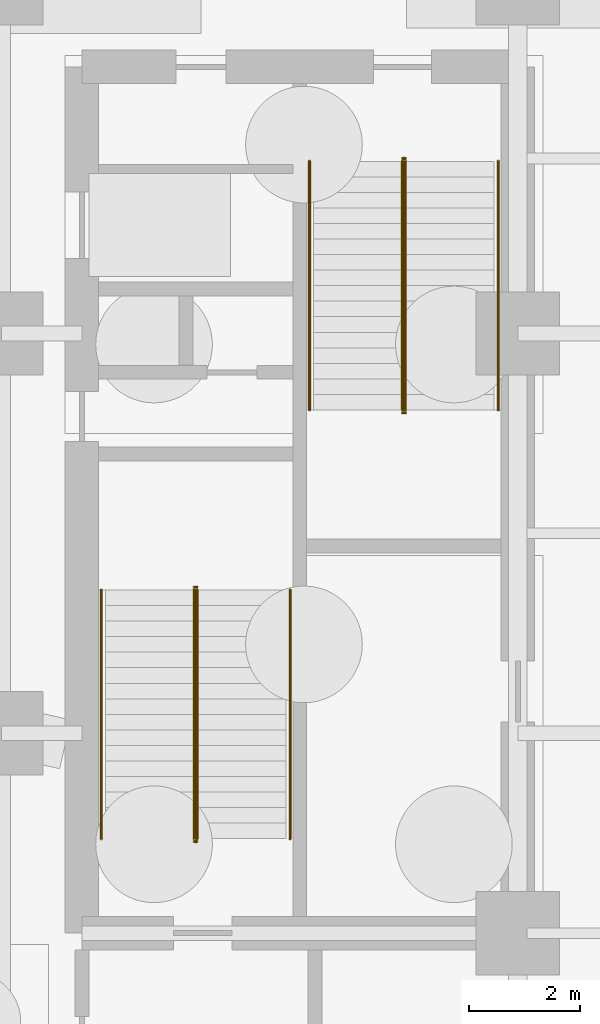
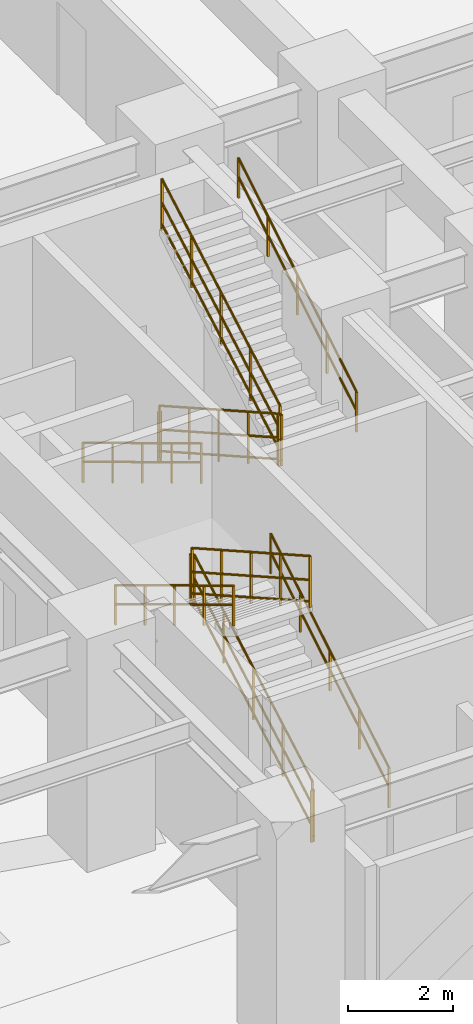
# One storey, part 9 of 11: 12 railings.
"""IFC4 building model written with IfcOpenShell, lengths in metres."""

from ifc_helpers import new_model, entity, si_unit, converted_unit, direction, frame, origin_with_axes, origin_2d_with_axis, place, context, subcontext, project, spatial, rectangle, circle, extrude, material, type_object, element, save


model = new_model("IFC4")

# Units and contexts
model_context = context("Model", 3, precision=1e-05, world=origin_with_axes(), true_north=direction((0.0, 1.0)))
body_context = subcontext(model_context, "Body", "Model", "MODEL_VIEW")
ifc_project = project(units=[si_unit("LENGTHUNIT", "METRE"), si_unit("AREAUNIT", "SQUARE_METRE"), si_unit("VOLUMEUNIT", "CUBIC_METRE"), converted_unit("PLANEANGLEUNIT", "DEGREE", entity("IfcPlaneAngleMeasure", 0.017453292519943295), si_unit("PLANEANGLEUNIT", "RADIAN"), dimensions=[0, 0, 0, 0, 0, 0, 0]), si_unit("MASSUNIT", "GRAM", prefix="KILO"), si_unit("THERMODYNAMICTEMPERATUREUNIT", "KELVIN")], contexts=[model_context])

# Site, building, storey
site_placement = place(None, origin_with_axes())
site = spatial("IfcSite", under=ifc_project, at=site_placement, CompositionType="ELEMENT")
building_placement = place(site_placement, origin_with_axes())
building = spatial("IfcBuilding", under=site, at=building_placement, Name="Varnlund Millrace Tower", CompositionType="ELEMENT")
storey_placement = place(building_placement, frame((0.0, 0.0, -10.2), z_axis=(0.0, 0.0, 1.0), x_axis=(1.0, 0.0, 0.0)))
storey = spatial("IfcBuildingStorey", under=building, at=storey_placement, Name="B2", CompositionType="ELEMENT", Elevation=-10.2)

# Railings
ifc_material_1 = material(Name="Painted steel stair well balustrade guard", Category="steel")
railing_type_1 = type_object("IfcRailingType", Name="Type-StairGuard-1150", PredefinedType="GUARDRAIL", material=ifc_material_1)
railing_1_placement = place(storey_placement, frame((0.0, 0.0, 10.2), z_axis=(0.0, 0.0, 1.0), x_axis=(1.0, 0.0, 0.0)))
element("IfcRailing", 1, at=railing_1_placement, inside=storey, type_object=railing_type_1, Name="Type-StairGuard-1150", PredefinedType="GUARDRAIL", context=body_context, shape_type="SweptSolid", body=[
    extrude(circle(Radius=0.024, at=origin_2d_with_axis()), frame((42.275, 8.9, -8.88125), z_axis=(0.0, 0.87064, 0.491921), x_axis=(-1.0, 0.0, 0.0)), (0.0, 0.0, 1.0), 5.145642),
    extrude(circle(Radius=0.024, at=origin_2d_with_axis()), frame((42.275, 8.9, -9.93125), z_axis=(0.0, 0.87064, 0.491921), x_axis=(-1.0, 0.0, 0.0)), (0.0, 0.0, 1.0), 5.145642),
    extrude(circle(Radius=0.024, at=origin_2d_with_axis()), frame((42.275, 8.9, -9.43325), z_axis=(0.0, 0.87064, 0.491921), x_axis=(-1.0, 0.0, 0.0)), (0.0, 0.0, 1.0), 5.145642),
    extrude(rectangle(XDim=0.04, YDim=0.04, at=origin_2d_with_axis()), frame((42.275, 8.9, -10.07125), z_axis=(0.0, 0.0, 1.0), x_axis=(1.0, 0.0, 0.0)), (0.0, 0.0, 1.0), 1.19),
    extrude(rectangle(XDim=0.04, YDim=0.04, at=origin_2d_with_axis()), frame((42.275, 10.02, -9.438438), z_axis=(0.0, 0.0, 1.0), x_axis=(1.0, 0.0, 0.0)), (0.0, 0.0, 1.0), 1.19),
    extrude(rectangle(XDim=0.04, YDim=0.04, at=origin_2d_with_axis()), frame((42.275, 11.14, -8.805625), z_axis=(0.0, 0.0, 1.0), x_axis=(1.0, 0.0, 0.0)), (0.0, 0.0, 1.0), 1.19),
    extrude(rectangle(XDim=0.04, YDim=0.04, at=origin_2d_with_axis()), frame((42.275, 12.26, -8.172812), z_axis=(0.0, 0.0, 1.0), x_axis=(1.0, 0.0, 0.0)), (0.0, 0.0, 1.0), 1.19),
    extrude(rectangle(XDim=0.04, YDim=0.04, at=origin_2d_with_axis()), frame((42.275, 13.38, -7.54), z_axis=(0.0, 0.0, 1.0), x_axis=(1.0, 0.0, 0.0)), (0.0, 0.0, 1.0), 1.19),
])
railing_2_placement = place(storey_placement, frame((0.0, 0.0, 10.2), z_axis=(0.0, 0.0, 1.0), x_axis=(1.0, 0.0, 0.0)))
element("IfcRailing", 2, at=railing_2_placement, inside=storey, type_object=railing_type_1, Name="Type-StairGuard-1150", PredefinedType="GUARDRAIL", context=body_context, shape_type="SweptSolid", body=[
    extrude(circle(Radius=0.024, at=origin_2d_with_axis()), frame((42.225, 13.43, -6.35), z_axis=(1.0, 0.0, 0.0), x_axis=(0.0, 1.0, 0.0)), (0.0, 0.0, 1.0), 0.05),
    extrude(circle(Radius=0.024, at=origin_2d_with_axis()), frame((42.225, 13.43, -7.4), z_axis=(1.0, 0.0, 0.0), x_axis=(0.0, 1.0, 0.0)), (0.0, 0.0, 1.0), 0.05),
    extrude(circle(Radius=0.024, at=origin_2d_with_axis()), frame((42.225, 13.43, -6.902), z_axis=(1.0, 0.0, 0.0), x_axis=(0.0, 1.0, 0.0)), (0.0, 0.0, 1.0), 0.05),
    extrude(rectangle(XDim=0.04, YDim=0.04, at=origin_2d_with_axis()), frame((42.225, 13.43, -7.54), z_axis=(0.0, 0.0, 1.0), x_axis=(1.0, 0.0, 0.0)), (0.0, 0.0, 1.0), 1.19),
    extrude(rectangle(XDim=0.04, YDim=0.04, at=origin_2d_with_axis()), frame((42.275, 13.43, -7.54), z_axis=(0.0, 0.0, 1.0), x_axis=(1.0, 0.0, 0.0)), (0.0, 0.0, 1.0), 1.19),
])
railing_3_placement = place(storey_placement, frame((0.0, 0.0, 10.2), z_axis=(0.0, 0.0, 1.0), x_axis=(1.0, 0.0, 0.0)))
element("IfcRailing", 3, at=railing_3_placement, inside=storey, type_object=railing_type_1, Name="Type-StairGuard-1150", PredefinedType="GUARDRAIL", context=body_context, shape_type="SweptSolid", body=[
    extrude(circle(Radius=0.024, at=origin_2d_with_axis()), frame((42.225, 13.38, -6.18125), z_axis=(0.0, -0.87064, 0.491921), x_axis=(1.0, 0.0, 0.0)), (0.0, 0.0, 1.0), 5.145642),
    extrude(circle(Radius=0.024, at=origin_2d_with_axis()), frame((42.225, 13.38, -7.23125), z_axis=(0.0, -0.87064, 0.491921), x_axis=(1.0, 0.0, 0.0)), (0.0, 0.0, 1.0), 5.145642),
    extrude(circle(Radius=0.024, at=origin_2d_with_axis()), frame((42.225, 13.38, -6.73325), z_axis=(0.0, -0.87064, 0.491921), x_axis=(1.0, 0.0, 0.0)), (0.0, 0.0, 1.0), 5.145642),
    extrude(rectangle(XDim=0.04, YDim=0.04, at=origin_2d_with_axis()), frame((42.225, 13.38, -7.37125), z_axis=(0.0, 0.0, 1.0), x_axis=(1.0, 0.0, 0.0)), (0.0, 0.0, 1.0), 1.19),
    extrude(rectangle(XDim=0.04, YDim=0.04, at=origin_2d_with_axis()), frame((42.225, 12.26, -6.738438), z_axis=(0.0, 0.0, 1.0), x_axis=(1.0, 0.0, 0.0)), (0.0, 0.0, 1.0), 1.19),
    extrude(rectangle(XDim=0.04, YDim=0.04, at=origin_2d_with_axis()), frame((42.225, 11.14, -6.105625), z_axis=(0.0, 0.0, 1.0), x_axis=(1.0, 0.0, 0.0)), (0.0, 0.0, 1.0), 1.19),
    extrude(rectangle(XDim=0.04, YDim=0.04, at=origin_2d_with_axis()), frame((42.225, 10.02, -5.472812), z_axis=(0.0, 0.0, 1.0), x_axis=(1.0, 0.0, 0.0)), (0.0, 0.0, 1.0), 1.19),
    extrude(rectangle(XDim=0.04, YDim=0.04, at=origin_2d_with_axis()), frame((42.225, 8.9, -4.84), z_axis=(0.0, 0.0, 1.0), x_axis=(1.0, 0.0, 0.0)), (0.0, 0.0, 1.0), 1.19),
])
railing_4_placement = place(storey_placement, frame((0.0, 0.0, 10.2), z_axis=(0.0, 0.0, 1.0), x_axis=(1.0, 0.0, 0.0)))
element("IfcRailing", 4, at=railing_4_placement, inside=storey, type_object=railing_type_1, Name="Type-StairGuard-1150", PredefinedType="GUARDRAIL", context=body_context, shape_type="SweptSolid", body=[
    extrude(circle(Radius=0.024, at=origin_2d_with_axis()), frame((42.225, 8.85, -9.05), z_axis=(1.0, 0.0, 0.0), x_axis=(0.0, 1.0, 0.0)), (0.0, 0.0, 1.0), 0.05),
    extrude(circle(Radius=0.024, at=origin_2d_with_axis()), frame((42.225, 8.85, -10.1), z_axis=(1.0, 0.0, 0.0), x_axis=(0.0, 1.0, 0.0)), (0.0, 0.0, 1.0), 0.05),
    extrude(circle(Radius=0.024, at=origin_2d_with_axis()), frame((42.225, 8.85, -9.602), z_axis=(1.0, 0.0, 0.0), x_axis=(0.0, 1.0, 0.0)), (0.0, 0.0, 1.0), 0.05),
    extrude(rectangle(XDim=0.04, YDim=0.04, at=origin_2d_with_axis()), frame((42.225, 8.85, -10.24), z_axis=(0.0, 0.0, 1.0), x_axis=(1.0, 0.0, 0.0)), (0.0, 0.0, 1.0), 1.19),
    extrude(rectangle(XDim=0.04, YDim=0.04, at=origin_2d_with_axis()), frame((42.275, 8.85, -10.24), z_axis=(0.0, 0.0, 1.0), x_axis=(1.0, 0.0, 0.0)), (0.0, 0.0, 1.0), 1.19),
])
railing_5_placement = place(storey_placement, frame((0.0, 0.0, 10.2), z_axis=(0.0, 0.0, 1.0), x_axis=(1.0, 0.0, 0.0)))
element("IfcRailing", 5, at=railing_5_placement, inside=storey, type_object=railing_type_1, Name="Type-StairGuard-1150", PredefinedType="GUARDRAIL", context=body_context, shape_type="SweptSolid", body=[
    extrude(circle(Radius=0.024, at=origin_2d_with_axis()), frame((45.975, 21.1, -8.88125), z_axis=(0.0, -0.87064, 0.491921), x_axis=(1.0, 0.0, 0.0)), (0.0, 0.0, 1.0), 5.145642),
    extrude(circle(Radius=0.024, at=origin_2d_with_axis()), frame((45.975, 21.1, -9.93125), z_axis=(0.0, -0.87064, 0.491921), x_axis=(1.0, 0.0, 0.0)), (0.0, 0.0, 1.0), 5.145642),
    extrude(circle(Radius=0.024, at=origin_2d_with_axis()), frame((45.975, 21.1, -9.43325), z_axis=(0.0, -0.87064, 0.491921), x_axis=(1.0, 0.0, 0.0)), (0.0, 0.0, 1.0), 5.145642),
    extrude(rectangle(XDim=0.04, YDim=0.04, at=origin_2d_with_axis()), frame((45.975, 21.1, -10.07125), z_axis=(0.0, 0.0, 1.0), x_axis=(1.0, 0.0, 0.0)), (0.0, 0.0, 1.0), 1.19),
    extrude(rectangle(XDim=0.04, YDim=0.04, at=origin_2d_with_axis()), frame((45.975, 19.98, -9.438438), z_axis=(0.0, 0.0, 1.0), x_axis=(1.0, 0.0, 0.0)), (0.0, 0.0, 1.0), 1.19),
    extrude(rectangle(XDim=0.04, YDim=0.04, at=origin_2d_with_axis()), frame((45.975, 18.86, -8.805625), z_axis=(0.0, 0.0, 1.0), x_axis=(1.0, 0.0, 0.0)), (0.0, 0.0, 1.0), 1.19),
    extrude(rectangle(XDim=0.04, YDim=0.04, at=origin_2d_with_axis()), frame((45.975, 17.74, -8.172812), z_axis=(0.0, 0.0, 1.0), x_axis=(1.0, 0.0, 0.0)), (0.0, 0.0, 1.0), 1.19),
    extrude(rectangle(XDim=0.04, YDim=0.04, at=origin_2d_with_axis()), frame((45.975, 16.62, -7.54), z_axis=(0.0, 0.0, 1.0), x_axis=(1.0, 0.0, 0.0)), (0.0, 0.0, 1.0), 1.19),
])
railing_6_placement = place(storey_placement, frame((0.0, 0.0, 10.2), z_axis=(0.0, 0.0, 1.0), x_axis=(1.0, 0.0, 0.0)))
element("IfcRailing", 6, at=railing_6_placement, inside=storey, type_object=railing_type_1, Name="Type-StairGuard-1150", PredefinedType="GUARDRAIL", context=body_context, shape_type="SweptSolid", body=[
    extrude(circle(Radius=0.024, at=origin_2d_with_axis()), frame((46.025, 16.57, -6.35), z_axis=(-1.0, 0.0, 0.0), x_axis=(0.0, -1.0, 0.0)), (0.0, 0.0, 1.0), 0.05),
    extrude(circle(Radius=0.024, at=origin_2d_with_axis()), frame((46.025, 16.57, -7.4), z_axis=(-1.0, 0.0, 0.0), x_axis=(0.0, -1.0, 0.0)), (0.0, 0.0, 1.0), 0.05),
    extrude(circle(Radius=0.024, at=origin_2d_with_axis()), frame((46.025, 16.57, -6.902), z_axis=(-1.0, 0.0, 0.0), x_axis=(0.0, -1.0, 0.0)), (0.0, 0.0, 1.0), 0.05),
    extrude(rectangle(XDim=0.04, YDim=0.04, at=origin_2d_with_axis()), frame((46.025, 16.57, -7.54), z_axis=(0.0, 0.0, 1.0), x_axis=(1.0, 0.0, 0.0)), (0.0, 0.0, 1.0), 1.19),
    extrude(rectangle(XDim=0.04, YDim=0.04, at=origin_2d_with_axis()), frame((45.975, 16.57, -7.54), z_axis=(0.0, 0.0, 1.0), x_axis=(1.0, 0.0, 0.0)), (0.0, 0.0, 1.0), 1.19),
])
railing_7_placement = place(storey_placement, frame((0.0, 0.0, 10.2), z_axis=(0.0, 0.0, 1.0), x_axis=(1.0, 0.0, 0.0)))
element("IfcRailing", 7, at=railing_7_placement, inside=storey, type_object=railing_type_1, Name="Type-StairGuard-1150", PredefinedType="GUARDRAIL", context=body_context, shape_type="SweptSolid", body=[
    extrude(circle(Radius=0.024, at=origin_2d_with_axis()), frame((46.025, 16.62, -6.18125), z_axis=(0.0, 0.87064, 0.491921), x_axis=(-1.0, 0.0, 0.0)), (0.0, 0.0, 1.0), 5.145642),
    extrude(circle(Radius=0.024, at=origin_2d_with_axis()), frame((46.025, 16.62, -7.23125), z_axis=(0.0, 0.87064, 0.491921), x_axis=(-1.0, 0.0, 0.0)), (0.0, 0.0, 1.0), 5.145642),
    extrude(circle(Radius=0.024, at=origin_2d_with_axis()), frame((46.025, 16.62, -6.73325), z_axis=(0.0, 0.87064, 0.491921), x_axis=(-1.0, 0.0, 0.0)), (0.0, 0.0, 1.0), 5.145642),
    extrude(rectangle(XDim=0.04, YDim=0.04, at=origin_2d_with_axis()), frame((46.025, 16.62, -7.37125), z_axis=(0.0, 0.0, 1.0), x_axis=(1.0, 0.0, 0.0)), (0.0, 0.0, 1.0), 1.19),
    extrude(rectangle(XDim=0.04, YDim=0.04, at=origin_2d_with_axis()), frame((46.025, 17.74, -6.738438), z_axis=(0.0, 0.0, 1.0), x_axis=(1.0, 0.0, 0.0)), (0.0, 0.0, 1.0), 1.19),
    extrude(rectangle(XDim=0.04, YDim=0.04, at=origin_2d_with_axis()), frame((46.025, 18.86, -6.105625), z_axis=(0.0, 0.0, 1.0), x_axis=(1.0, 0.0, 0.0)), (0.0, 0.0, 1.0), 1.19),
    extrude(rectangle(XDim=0.04, YDim=0.04, at=origin_2d_with_axis()), frame((46.025, 19.98, -5.472812), z_axis=(0.0, 0.0, 1.0), x_axis=(1.0, 0.0, 0.0)), (0.0, 0.0, 1.0), 1.19),
    extrude(rectangle(XDim=0.04, YDim=0.04, at=origin_2d_with_axis()), frame((46.025, 21.1, -4.84), z_axis=(0.0, 0.0, 1.0), x_axis=(1.0, 0.0, 0.0)), (0.0, 0.0, 1.0), 1.19),
])
railing_8_placement = place(storey_placement, frame((0.0, 0.0, 10.2), z_axis=(0.0, 0.0, 1.0), x_axis=(1.0, 0.0, 0.0)))
element("IfcRailing", 8, at=railing_8_placement, inside=storey, type_object=railing_type_1, Name="Type-StairGuard-1150", PredefinedType="GUARDRAIL", context=body_context, shape_type="SweptSolid", body=[
    extrude(circle(Radius=0.024, at=origin_2d_with_axis()), frame((46.025, 21.15, -9.05), z_axis=(-1.0, 0.0, 0.0), x_axis=(0.0, -1.0, 0.0)), (0.0, 0.0, 1.0), 0.05),
    extrude(circle(Radius=0.024, at=origin_2d_with_axis()), frame((46.025, 21.15, -10.1), z_axis=(-1.0, 0.0, 0.0), x_axis=(0.0, -1.0, 0.0)), (0.0, 0.0, 1.0), 0.05),
    extrude(circle(Radius=0.024, at=origin_2d_with_axis()), frame((46.025, 21.15, -9.602), z_axis=(-1.0, 0.0, 0.0), x_axis=(0.0, -1.0, 0.0)), (0.0, 0.0, 1.0), 0.05),
    extrude(rectangle(XDim=0.04, YDim=0.04, at=origin_2d_with_axis()), frame((46.025, 21.15, -10.24), z_axis=(0.0, 0.0, 1.0), x_axis=(1.0, 0.0, 0.0)), (0.0, 0.0, 1.0), 1.19),
    extrude(rectangle(XDim=0.04, YDim=0.04, at=origin_2d_with_axis()), frame((45.975, 21.15, -10.24), z_axis=(0.0, 0.0, 1.0), x_axis=(1.0, 0.0, 0.0)), (0.0, 0.0, 1.0), 1.19),
])
ifc_material_2 = material(Name="Brushed architectural bronze stair handrail", Category="aluminium")
railing_type_2 = type_object("IfcRailingType", Name="Type-StairHandrail-900", PredefinedType="HANDRAIL", material=ifc_material_2)
railing_9_placement = place(storey_placement, frame((0.0, 0.0, 10.2), z_axis=(0.0, 0.0, 1.0), x_axis=(1.0, 0.0, 0.0)))
element("IfcRailing", 9, at=railing_9_placement, inside=storey, type_object=railing_type_2, Name="Type-StairHandrail-900", PredefinedType="HANDRAIL", context=body_context, shape_type="SweptSolid", body=[
    extrude(circle(Radius=0.024, at=origin_2d_with_axis()), frame((43.95, 8.9, -9.151805), z_axis=(0.0, 0.856479, 0.516182), x_axis=(-1.0, 0.0, 0.0)), (0.0, 0.0, 1.0), 5.230717),
    extrude(circle(Radius=0.024, at=origin_2d_with_axis()), frame((43.95, 8.9, -9.591528), z_axis=(0.0, 0.856479, 0.516182), x_axis=(-1.0, 0.0, 0.0)), (0.0, 0.0, 1.0), 5.230717),
    extrude(rectangle(XDim=0.04, YDim=0.04, at=origin_2d_with_axis()), frame((43.95, 8.9, -10.07125), z_axis=(0.0, 0.0, 1.0), x_axis=(1.0, 0.0, 0.0)), (0.0, 0.0, 1.0), 0.919445),
    extrude(rectangle(XDim=0.04, YDim=0.04, at=origin_2d_with_axis()), frame((43.95, 10.02, -9.39625), z_axis=(0.0, 0.0, 1.0), x_axis=(1.0, 0.0, 0.0)), (0.0, 0.0, 1.0), 0.919445),
    extrude(rectangle(XDim=0.04, YDim=0.04, at=origin_2d_with_axis()), frame((43.95, 11.14, -8.72125), z_axis=(0.0, 0.0, 1.0), x_axis=(1.0, 0.0, 0.0)), (0.0, 0.0, 1.0), 0.919445),
    extrude(rectangle(XDim=0.04, YDim=0.04, at=origin_2d_with_axis()), frame((43.95, 12.26, -8.04625), z_axis=(0.0, 0.0, 1.0), x_axis=(1.0, 0.0, 0.0)), (0.0, 0.0, 1.0), 0.919445),
    extrude(rectangle(XDim=0.04, YDim=0.04, at=origin_2d_with_axis()), frame((43.95, 13.38, -7.37125), z_axis=(0.0, 0.0, 1.0), x_axis=(1.0, 0.0, 0.0)), (0.0, 0.0, 1.0), 0.919445),
])
railing_10_placement = place(storey_placement, frame((0.0, 0.0, 10.2), z_axis=(0.0, 0.0, 1.0), x_axis=(1.0, 0.0, 0.0)))
element("IfcRailing", 10, at=railing_10_placement, inside=storey, type_object=railing_type_2, Name="Type-StairHandrail-900", PredefinedType="HANDRAIL", context=body_context, shape_type="SweptSolid", body=[
    extrude(circle(Radius=0.024, at=origin_2d_with_axis()), frame((40.55, 13.38, -6.451805), z_axis=(0.0, -0.856479, 0.516182), x_axis=(1.0, 0.0, 0.0)), (0.0, 0.0, 1.0), 5.230717),
    extrude(circle(Radius=0.024, at=origin_2d_with_axis()), frame((40.55, 13.38, -6.891528), z_axis=(0.0, -0.856479, 0.516182), x_axis=(1.0, 0.0, 0.0)), (0.0, 0.0, 1.0), 5.230717),
    extrude(rectangle(XDim=0.04, YDim=0.04, at=origin_2d_with_axis()), frame((40.55, 13.38, -7.37125), z_axis=(0.0, 0.0, 1.0), x_axis=(1.0, 0.0, 0.0)), (0.0, 0.0, 1.0), 0.919445),
    extrude(rectangle(XDim=0.04, YDim=0.04, at=origin_2d_with_axis()), frame((40.55, 12.26, -6.69625), z_axis=(0.0, 0.0, 1.0), x_axis=(1.0, 0.0, 0.0)), (0.0, 0.0, 1.0), 0.919445),
    extrude(rectangle(XDim=0.04, YDim=0.04, at=origin_2d_with_axis()), frame((40.55, 11.14, -6.02125), z_axis=(0.0, 0.0, 1.0), x_axis=(1.0, 0.0, 0.0)), (0.0, 0.0, 1.0), 0.919445),
    extrude(rectangle(XDim=0.04, YDim=0.04, at=origin_2d_with_axis()), frame((40.55, 10.02, -5.34625), z_axis=(0.0, 0.0, 1.0), x_axis=(1.0, 0.0, 0.0)), (0.0, 0.0, 1.0), 0.919445),
    extrude(rectangle(XDim=0.04, YDim=0.04, at=origin_2d_with_axis()), frame((40.55, 8.9, -4.67125), z_axis=(0.0, 0.0, 1.0), x_axis=(1.0, 0.0, 0.0)), (0.0, 0.0, 1.0), 0.919445),
])
railing_11_placement = place(storey_placement, frame((0.0, 0.0, 10.2), z_axis=(0.0, 0.0, 1.0), x_axis=(1.0, 0.0, 0.0)))
element("IfcRailing", 11, at=railing_11_placement, inside=storey, type_object=railing_type_2, Name="Type-StairHandrail-900", PredefinedType="HANDRAIL", context=body_context, shape_type="SweptSolid", body=[
    extrude(circle(Radius=0.024, at=origin_2d_with_axis()), frame((44.3, 21.1, -9.151805), z_axis=(0.0, -0.856479, 0.516182), x_axis=(1.0, 0.0, 0.0)), (0.0, 0.0, 1.0), 5.230717),
    extrude(circle(Radius=0.024, at=origin_2d_with_axis()), frame((44.3, 21.1, -9.591528), z_axis=(0.0, -0.856479, 0.516182), x_axis=(1.0, 0.0, 0.0)), (0.0, 0.0, 1.0), 5.230717),
    extrude(rectangle(XDim=0.04, YDim=0.04, at=origin_2d_with_axis()), frame((44.3, 21.1, -10.07125), z_axis=(0.0, 0.0, 1.0), x_axis=(1.0, 0.0, 0.0)), (0.0, 0.0, 1.0), 0.919445),
    extrude(rectangle(XDim=0.04, YDim=0.04, at=origin_2d_with_axis()), frame((44.3, 19.98, -9.39625), z_axis=(0.0, 0.0, 1.0), x_axis=(1.0, 0.0, 0.0)), (0.0, 0.0, 1.0), 0.919445),
    extrude(rectangle(XDim=0.04, YDim=0.04, at=origin_2d_with_axis()), frame((44.3, 18.86, -8.72125), z_axis=(0.0, 0.0, 1.0), x_axis=(1.0, 0.0, 0.0)), (0.0, 0.0, 1.0), 0.919445),
    extrude(rectangle(XDim=0.04, YDim=0.04, at=origin_2d_with_axis()), frame((44.3, 17.74, -8.04625), z_axis=(0.0, 0.0, 1.0), x_axis=(1.0, 0.0, 0.0)), (0.0, 0.0, 1.0), 0.919445),
    extrude(rectangle(XDim=0.04, YDim=0.04, at=origin_2d_with_axis()), frame((44.3, 16.62, -7.37125), z_axis=(0.0, 0.0, 1.0), x_axis=(1.0, 0.0, 0.0)), (0.0, 0.0, 1.0), 0.919445),
])
railing_12_placement = place(storey_placement, frame((0.0, 0.0, 10.2), z_axis=(0.0, 0.0, 1.0), x_axis=(1.0, 0.0, 0.0)))
element("IfcRailing", 12, at=railing_12_placement, inside=storey, type_object=railing_type_2, Name="Type-StairHandrail-900", PredefinedType="HANDRAIL", context=body_context, shape_type="SweptSolid", body=[
    extrude(circle(Radius=0.024, at=origin_2d_with_axis()), frame((47.7, 16.62, -6.451805), z_axis=(0.0, 0.856479, 0.516182), x_axis=(-1.0, 0.0, 0.0)), (0.0, 0.0, 1.0), 5.230717),
    extrude(circle(Radius=0.024, at=origin_2d_with_axis()), frame((47.7, 16.62, -6.891528), z_axis=(0.0, 0.856479, 0.516182), x_axis=(-1.0, 0.0, 0.0)), (0.0, 0.0, 1.0), 5.230717),
    extrude(rectangle(XDim=0.04, YDim=0.04, at=origin_2d_with_axis()), frame((47.7, 16.62, -7.37125), z_axis=(0.0, 0.0, 1.0), x_axis=(1.0, 0.0, 0.0)), (0.0, 0.0, 1.0), 0.919445),
    extrude(rectangle(XDim=0.04, YDim=0.04, at=origin_2d_with_axis()), frame((47.7, 17.74, -6.69625), z_axis=(0.0, 0.0, 1.0), x_axis=(1.0, 0.0, 0.0)), (0.0, 0.0, 1.0), 0.919445),
    extrude(rectangle(XDim=0.04, YDim=0.04, at=origin_2d_with_axis()), frame((47.7, 18.86, -6.02125), z_axis=(0.0, 0.0, 1.0), x_axis=(1.0, 0.0, 0.0)), (0.0, 0.0, 1.0), 0.919445),
    extrude(rectangle(XDim=0.04, YDim=0.04, at=origin_2d_with_axis()), frame((47.7, 19.98, -5.34625), z_axis=(0.0, 0.0, 1.0), x_axis=(1.0, 0.0, 0.0)), (0.0, 0.0, 1.0), 0.919445),
    extrude(rectangle(XDim=0.04, YDim=0.04, at=origin_2d_with_axis()), frame((47.7, 21.1, -4.67125), z_axis=(0.0, 0.0, 1.0), x_axis=(1.0, 0.0, 0.0)), (0.0, 0.0, 1.0), 0.919445),
])

save(model, "model.ifc")
